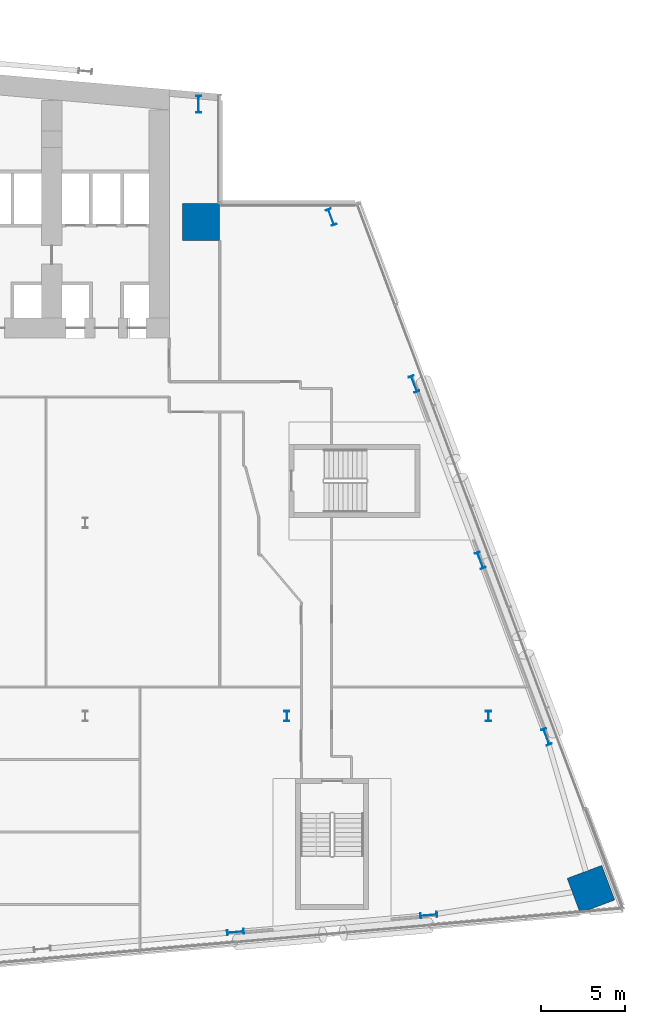
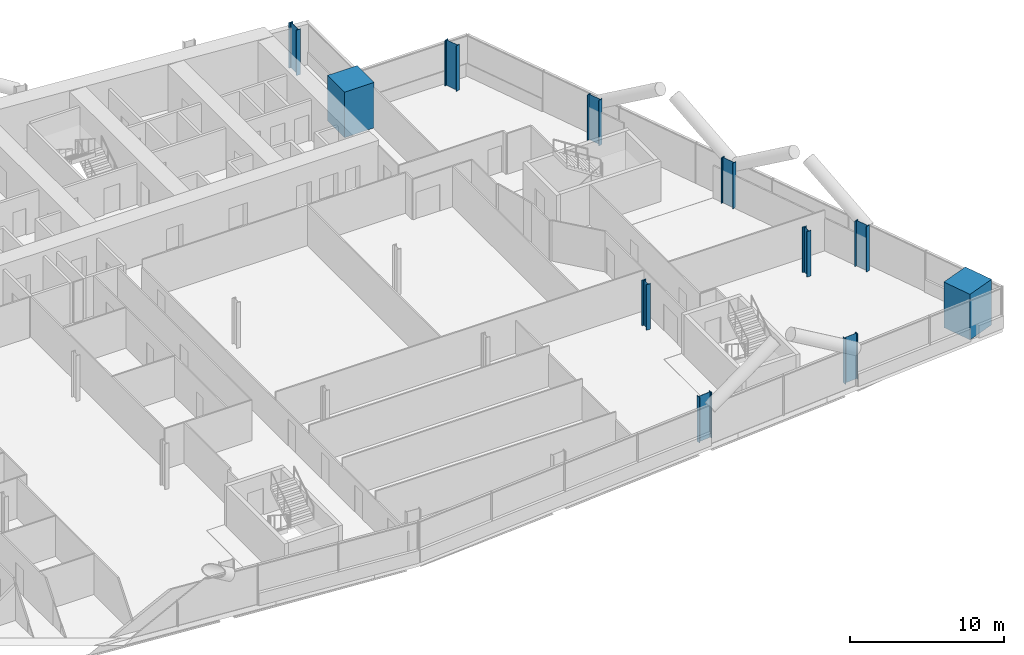
# One storey, part 3 of 27: 11 columns.
"""IFC4 building model written with IfcOpenShell, lengths in metres."""

from ifc_helpers import new_model, si_unit, direction, frame, origin, origin_2d, place, context, subcontext, project, spatial, rectangle, i_section, extrude, material, material_profile, profile_set, type_object, element, save


model = new_model("IFC4")

# Units and contexts
model_context = context("Model", 3, precision=1e-05, world=origin(), true_north=direction((0.0, 1.0)))
body_context = subcontext(model_context, "Body", "Model", "MODEL_VIEW")
ifc_project = project(units=[si_unit("LENGTHUNIT", "METRE"), si_unit("AREAUNIT", "SQUARE_METRE"), si_unit("VOLUMEUNIT", "CUBIC_METRE"), si_unit("PLANEANGLEUNIT", "RADIAN"), si_unit("MASSUNIT", "GRAM", prefix="KILO")], contexts=[model_context])

# Site, building, storey
site_placement = place(None, origin())
site = spatial("IfcSite", under=ifc_project, at=site_placement, CompositionType="ELEMENT")
building_placement = place(site_placement, origin())
building = spatial("IfcBuilding", under=site, at=building_placement, Name="Wharfspan Tower", CompositionType="ELEMENT")
storey_placement = place(building_placement, frame((0.0, 0.0, 81.100098)))
storey = spatial("IfcBuildingStorey", under=building, at=storey_placement, Name="L17", CompositionType="ELEMENT", Elevation=81.100098)

# Columns
ifc_material_1 = material(Name="Steel S355J2", Category="steel")
ifc_material_profile_1 = material_profile(ifc_material_1, i_section(OverallWidth=0.302002, OverallDepth=1.008057, WebThickness=0.020996, FlangeThickness=0.040039, FilletRadius=0.030029, at=origin_2d()))
ifc_profile_set_1 = profile_set([ifc_material_profile_1], Name="Steel S355J2")
column_type_1 = type_object("IfcColumnType", Name="Column HEM 1000", PredefinedType="COLUMN", material=ifc_profile_set_1)
for number, where, z_axis, x_axis, name in (
    (1, (68.942383, -1.354736, 0.0), (0.0, 0.0, 1.0), (0.087156, -0.996198, 0.0), "Perimeter column PS2.2 L17"),
    (2, (80.442383, -0.348633, 0.0), (0.0, 0.0, 1.0), (0.087156, -0.996198, 0.0), "Perimeter column PS2.3 L17"),
    (3, (87.44458, 10.268311, 0.0), (0.0, 0.0, 1.0), (0.936328, 0.351123, 0.0), "Perimeter column PE.1 L17"),
    (4, (83.50708, 20.768311, 0.0), (0.0, 0.0, 1.0), (0.936328, 0.351123, 0.0), "Perimeter column PE.2 L17"),
    (5, (79.56958, 31.268311, 0.0), (0.0, 0.0, 1.0), (0.936328, 0.351123, 0.0), "Perimeter column PE.3 L17"),
    (6, (74.634277, 41.196289, 0.0), (0.0, 0.0, 1.0), (0.936328, 0.351123, 0.0), "Perimeter column PE.4 L17"),
    (7, (66.747803, 47.915283, 0.0), (0.0, 0.0, 1.0), (1.0, 0.0, 0.0), "Perimeter column PNRE-V.1 L17"),
):
    element("IfcColumn", number, at=place(storey_placement, frame(where, z_axis=z_axis, x_axis=x_axis)), inside=storey, type_object=column_type_1, Name=name, PredefinedType="COLUMN", context=body_context, shape_type="SweptSolid", body=[
        extrude(i_section(OverallWidth=0.302002, OverallDepth=1.008057, WebThickness=0.020996, FlangeThickness=0.040039, FilletRadius=0.030029, at=origin_2d()), origin(), (0.0, 0.0, 1.0), 3.599854),
    ])
ifc_material_profile_2 = material_profile(ifc_material_1, i_section(OverallWidth=0.304932, OverallDepth=0.620117, WebThickness=0.020996, FlangeThickness=0.040039, FilletRadius=0.0271, at=origin_2d()))
ifc_profile_set_2 = profile_set([ifc_material_profile_2], Name="Steel S355J2")
column_type_2 = type_object("IfcColumnType", Name="Column HEM 600", PredefinedType="COLUMN", material=ifc_profile_set_2)
for number, where, z_axis, x_axis, name in (
    (8, (72.0, 11.5, 0.0), (0.0, 0.0, 1.0), (1.0, 0.0, 0.0), "Interior column I.1.6 L17"),
    (9, (84.0, 11.5, 0.0), (0.0, 0.0, 1.0), (1.0, 0.0, 0.0), "Interior column I.1.7 L17"),
):
    element("IfcColumn", number, at=place(storey_placement, frame(where, z_axis=z_axis, x_axis=x_axis)), inside=storey, type_object=column_type_2, Name=name, PredefinedType="COLUMN", context=body_context, shape_type="SweptSolid", body=[
        extrude(i_section(OverallWidth=0.304932, OverallDepth=0.620117, WebThickness=0.020996, FlangeThickness=0.040039, FilletRadius=0.0271, at=origin_2d()), origin(), (0.0, 0.0, 1.0), 3.599854),
    ])
ifc_material_2 = material(Name="Concrete C70/85", Category="concrete")
ifc_material_profile_3 = material_profile(ifc_material_2, rectangle(XDim=2.199951, YDim=2.199951, at=origin_2d()))
ifc_profile_set_3 = profile_set([ifc_material_profile_3], Name="Concrete C70/85")
column_type_3 = type_object("IfcColumnType", Name="Mega column 2200 C70/85", PredefinedType="COLUMN", material=ifc_profile_set_3)
for number, where, z_axis, x_axis, name in (
    (10, (66.899902, 40.899902, 0.0), (0.0, 0.0, 1.0), (1.0, 0.0, 0.0), "Mega column MC3 L17"),
    (11, (90.096436, 1.199707, 0.0), (0.0, 0.0, 1.0), (-0.351123, 0.936328, 0.0), "Mega column MC4 L17"),
):
    element("IfcColumn", number, at=place(storey_placement, frame(where, z_axis=z_axis, x_axis=x_axis)), inside=storey, type_object=column_type_3, Name=name, PredefinedType="COLUMN", context=body_context, shape_type="SweptSolid", body=[
        extrude(rectangle(XDim=2.199951, YDim=2.199951, at=origin_2d()), origin(), (0.0, 0.0, 1.0), 3.599854),
    ])

save(model, "model.ifc")
